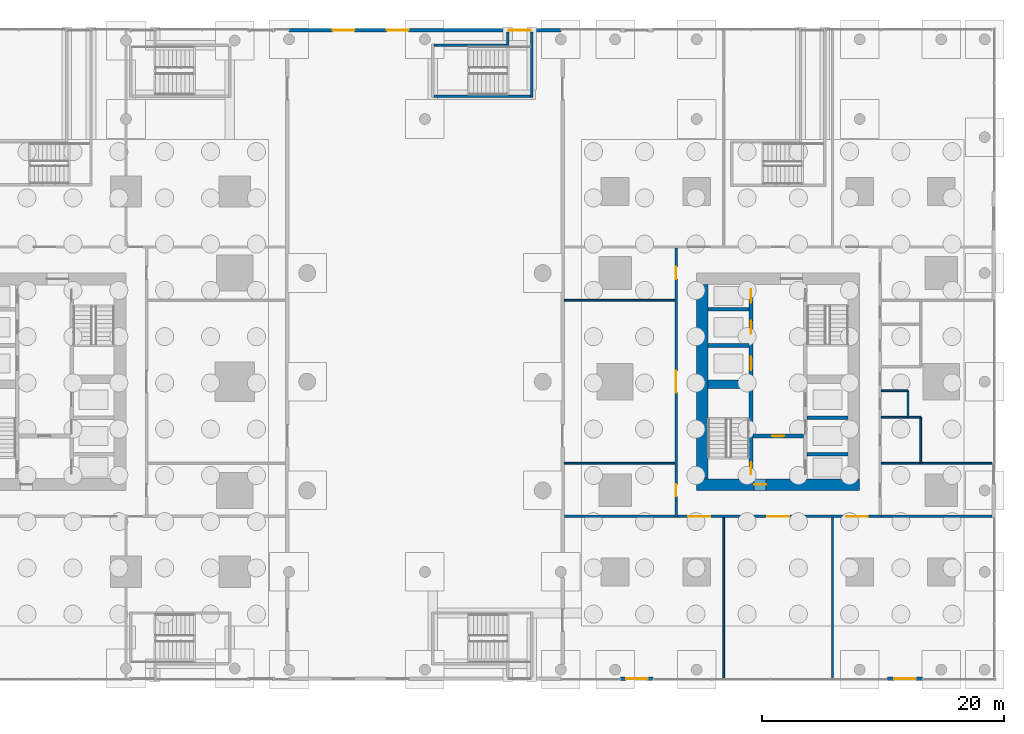
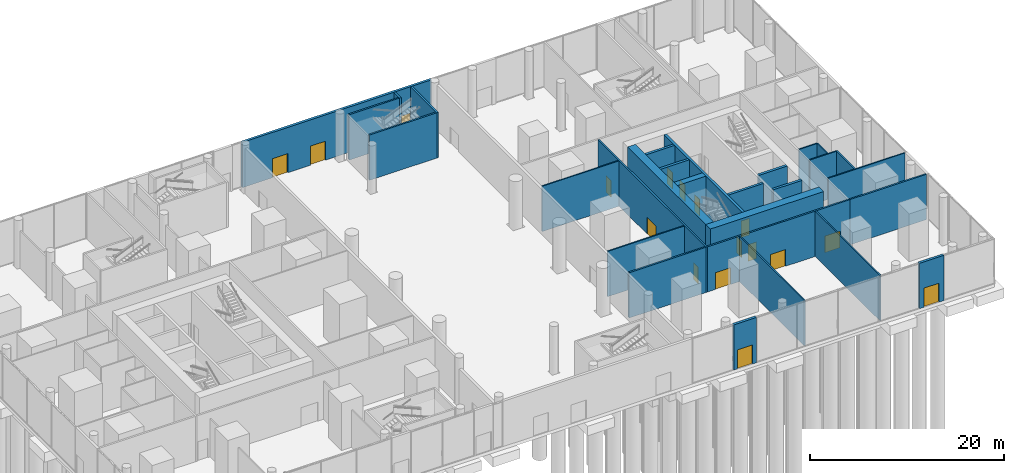
# One storey, part 21 of 31: 29 walls, 17 doors, 17 openings.
"""IFC4 building model written with IfcOpenShell, lengths in metres."""

from ifc_helpers import new_model, si_unit, direction, frame, frame_2d, origin, place, context, subcontext, project, spatial, rectangle, extrude, material, layer, layer_set, type_object, element, fill, save


model = new_model("IFC4")

# Units and contexts
model_context = context("Model", 3, precision=1e-05, world=origin(), true_north=direction((0.0, 1.0)))
body_context = subcontext(model_context, "Body", "Model", "MODEL_VIEW")
ifc_project = project(units=[si_unit("LENGTHUNIT", "METRE"), si_unit("AREAUNIT", "SQUARE_METRE"), si_unit("VOLUMEUNIT", "CUBIC_METRE"), si_unit("PLANEANGLEUNIT", "RADIAN"), si_unit("MASSUNIT", "GRAM", prefix="KILO")], contexts=[model_context])

# Site, building, storey
site_placement = place(None, origin())
site = spatial("IfcSite", under=ifc_project, at=site_placement, CompositionType="ELEMENT")
building_placement = place(site_placement, origin())
building = spatial("IfcBuilding", under=site, at=building_placement, Name="Namib Vertical Campus", CompositionType="ELEMENT")
storey_placement = place(building_placement, origin())
storey = spatial("IfcBuildingStorey", under=building, at=storey_placement, Name="L00", CompositionType="ELEMENT", Elevation=0.0)

# Wall, openings, doors
ifc_material_1 = material(Name="Concrete C60/75", Category="concrete")
ifc_layer_1 = layer(ifc_material_1, 0.300048828125)
ifc_layer_set_1 = layer_set([ifc_layer_1], Name="Concrete C60/75")
wall_type_1 = type_object("IfcWallType", Name="Core inner wall 300", PredefinedType="SHEAR", material=ifc_layer_set_1)
wall_1_placement = place(storey_placement, frame((78.75, 12.199951171875, -0.39990234375), z_axis=(0.0, 0.0, 1.0), x_axis=(0.0, 1.0, 0.0)))
wall_1 = element("IfcWall", 1, at=wall_1_placement, inside=storey, type_object=wall_type_1, Name="Core inner wall B L00 W1", PredefinedType="SHEAR", context=body_context, shape_type="SweptSolid", body=[
    extrude(rectangle(XDim=16.10009765625, YDim=0.300048828125, at=frame_2d((8.050048828125, 0.0))), origin(), (0.0, 0.0, 1.0), 6.39990234375),
])
opening_1_placement = place(wall_1_placement, frame((0.39990234375, 0.0, 0.39990234375)))
opening_1 = element("IfcOpeningElement", 2, at=opening_1_placement, cuts=wall_1, Name="Opening FD1", PredefinedType="OPENING", context=body_context, shape_type="SweptSolid", body=[
    extrude(rectangle(XDim=1.0, YDim=2.10009765625, at=frame_2d((0.5, 1.050048828125))), frame((0.0, 0.159912109375, 0.0), z_axis=(0.0, -1.0, 0.0), x_axis=(1.0, 0.0, 0.0)), (0.0, 0.0, 1.0), 0.320068359375),
])
opening_2_placement = place(wall_1_placement, frame((9.0, 0.0, 0.39990234375)))
opening_2 = element("IfcOpeningElement", 3, at=opening_2_placement, cuts=wall_1, Name="Opening LD1", PredefinedType="OPENING", context=body_context, shape_type="SweptSolid", body=[
    extrude(rectangle(XDim=1.10009765625, YDim=2.10009765625, at=frame_2d((0.550048828125, 1.050048828125))), frame((0.0, 0.159912109375, 0.0), z_axis=(0.0, -1.0, 0.0), x_axis=(1.0, 0.0, 0.0)), (0.0, 0.0, 1.0), 0.320068359375),
])
opening_3_placement = place(wall_1_placement, frame((12.0, 0.0, 0.39990234375)))
opening_3 = element("IfcOpeningElement", 4, at=opening_3_placement, cuts=wall_1, Name="Opening LD1", PredefinedType="OPENING", context=body_context, shape_type="SweptSolid", body=[
    extrude(rectangle(XDim=1.10009765625, YDim=2.10009765625, at=frame_2d((0.550048828125, 1.050048828125))), frame((0.0, 0.159912109375, 0.0), z_axis=(0.0, -1.0, 0.0), x_axis=(1.0, 0.0, 0.0)), (0.0, 0.0, 1.0), 0.320068359375),
])
opening_4_placement = place(wall_1_placement, frame((14.60009765625, 0.0, 0.39990234375)))
opening_4 = element("IfcOpeningElement", 5, at=opening_4_placement, cuts=wall_1, Name="Opening LD1", PredefinedType="OPENING", context=body_context, shape_type="SweptSolid", body=[
    extrude(rectangle(XDim=1.10009765625, YDim=2.10009765625, at=frame_2d((0.550048828125, 1.050048828125))), frame((0.0, 0.159912109375, 0.0), z_axis=(0.0, -1.0, 0.0), x_axis=(1.0, 0.0, 0.0)), (0.0, 0.0, 1.0), 0.320068359375),
])
ifc_material_2 = material(Name="Steel fire door", Category="steel")
door_type_1 = type_object("IfcDoorType", Name="Fire door 1000x2100", OperationType="SINGLE_SWING_RIGHT", PredefinedType="DOOR", material=ifc_material_2)
door_1_placement = place(opening_1_placement, frame((1.0, 0.0, 0.0), z_axis=(0.0, 0.0, 1.0), x_axis=(-1.0, 0.0, 0.0)))
door_1 = element("IfcDoor", 6, at=door_1_placement, inside=storey, type_object=door_type_1, Name="Stair door FD1 B L00 S1", OperationType="SINGLE_SWING_RIGHT", OverallHeight=2.10009765625, OverallWidth=1.0, PredefinedType="DOOR", context=body_context, shape_type="SweptSolid", body=[
    extrude(rectangle(XDim=1.0, YDim=2.10009765625, at=frame_2d((0.5, 1.050048828125))), frame((0.0, 0.02490234375, 0.0), z_axis=(0.0, -1.0, 0.0), x_axis=(1.0, 0.0, 0.0)), (0.0, 0.0, 1.0), 0.050048828125),
])
fill(opening_1, door_1)
ifc_material_3 = material(Name="Stainless steel lift door", Category="steel")
door_type_2 = type_object("IfcDoorType", Name="Lift landing door 1100x2100", OperationType="DOUBLE_DOOR_SLIDING", PredefinedType="DOOR", material=ifc_material_3)
door_2_placement = place(opening_2_placement, origin())
door_2 = element("IfcDoor", 7, at=door_2_placement, inside=storey, type_object=door_type_2, Name="Lift landing door LD1 B-P1 L00", OperationType="DOUBLE_DOOR_SLIDING", OverallHeight=2.10009765625, OverallWidth=1.10009765625, PredefinedType="DOOR", context=body_context, shape_type="SweptSolid", body=[
    extrude(rectangle(XDim=1.10009765625, YDim=2.10009765625, at=frame_2d((0.550048828125, 1.050048828125))), frame((0.0, 0.02490234375, 0.0), z_axis=(0.0, -1.0, 0.0), x_axis=(1.0, 0.0, 0.0)), (0.0, 0.0, 1.0), 0.050048828125),
])
fill(opening_2, door_2)
door_3_placement = place(opening_3_placement, origin())
door_3 = element("IfcDoor", 8, at=door_3_placement, inside=storey, type_object=door_type_2, Name="Lift landing door LD1 B-P2 L00", OperationType="DOUBLE_DOOR_SLIDING", OverallHeight=2.10009765625, OverallWidth=1.10009765625, PredefinedType="DOOR", context=body_context, shape_type="SweptSolid", body=[
    extrude(rectangle(XDim=1.10009765625, YDim=2.10009765625, at=frame_2d((0.550048828125, 1.050048828125))), frame((0.0, 0.02490234375, 0.0), z_axis=(0.0, -1.0, 0.0), x_axis=(1.0, 0.0, 0.0)), (0.0, 0.0, 1.0), 0.050048828125),
])
fill(opening_3, door_3)
door_4_placement = place(opening_4_placement, origin())
door_4 = element("IfcDoor", 9, at=door_4_placement, inside=storey, type_object=door_type_2, Name="Lift landing door LD1 B-P3 L00", OperationType="DOUBLE_DOOR_SLIDING", OverallHeight=2.10009765625, OverallWidth=1.10009765625, PredefinedType="DOOR", context=body_context, shape_type="SweptSolid", body=[
    extrude(rectangle(XDim=1.10009765625, YDim=2.10009765625, at=frame_2d((0.550048828125, 1.050048828125))), frame((0.0, 0.02490234375, 0.0), z_axis=(0.0, -1.0, 0.0), x_axis=(1.0, 0.0, 0.0)), (0.0, 0.0, 1.0), 0.050048828125),
])
fill(opening_4, door_4)

# Wall, opening, door
wall_2_placement = place(storey_placement, frame((78.89990234375, 15.75, -0.39990234375), z_axis=(0.0, 0.0, 1.0), x_axis=(1.0, 0.0, 0.0)))
wall_2 = element("IfcWall", 10, at=wall_2_placement, inside=storey, type_object=wall_type_1, Name="Core inner wall B L00 W4", PredefinedType="SHEAR", context=body_context, shape_type="SweptSolid", body=[
    extrude(rectangle(XDim=4.2001953125, YDim=0.300048828125, at=frame_2d((2.10009765625, 0.0))), origin(), (0.0, 0.0, 1.0), 6.39990234375),
])
opening_5_placement = place(wall_2_placement, frame((1.60009765625, 0.0, 0.39990234375)))
opening_5 = element("IfcOpeningElement", 11, at=opening_5_placement, cuts=wall_2, Name="Opening FD5", PredefinedType="OPENING", context=body_context, shape_type="SweptSolid", body=[
    extrude(rectangle(XDim=1.0, YDim=2.10009765625, at=frame_2d((0.5, 1.050048828125))), frame((0.0, 0.159912109375, 0.0), z_axis=(0.0, -1.0, 0.0), x_axis=(1.0, 0.0, 0.0)), (0.0, 0.0, 1.0), 0.320068359375),
])
ifc_material_4 = material(Name="Steel fire door", Category="steel")
door_type_3 = type_object("IfcDoorType", Name="Fire door 1000x2100 120 min", OperationType="SINGLE_SWING_RIGHT", PredefinedType="DOOR", material=ifc_material_4)
door_5_placement = place(opening_5_placement, frame((1.0, 0.0, 0.0), z_axis=(0.0, 0.0, 1.0), x_axis=(-1.0, 0.0, 0.0)))
door_5 = element("IfcDoor", 12, at=door_5_placement, inside=storey, type_object=door_type_3, Name="Lobby door FD5 B L00", OperationType="SINGLE_SWING_RIGHT", OverallHeight=2.10009765625, OverallWidth=1.0, PredefinedType="DOOR", context=body_context, shape_type="SweptSolid", body=[
    extrude(rectangle(XDim=1.0, YDim=2.10009765625, at=frame_2d((0.5, 1.050048828125))), frame((0.0, 0.02490234375, 0.0), z_axis=(0.0, -1.0, 0.0), x_axis=(1.0, 0.0, 0.0)), (0.0, 0.0, 1.0), 0.050048828125),
])
fill(opening_5, door_5)

# Walls
for number, where, z_axis, x_axis, name in (
    (13, (83.39990234375, 14.25, -0.39990234375), (0.0, 0.0, 1.0), (1.0, 0.0, 0.0), "Core inner wall B L00 W5"),
    (14, (83.39990234375, 17.25, -0.39990234375), (0.0, 0.0, 1.0), (1.0, 0.0, 0.0), "Core inner wall B L00 W6"),
    (15, (75.199951171875, 23.25, -0.39990234375), (0.0, 0.0, 1.0), (1.0, 0.0, 0.0), "Core inner wall B L00 W8"),
    (16, (75.199951171875, 26.25, -0.39990234375), (0.0, 0.0, 1.0), (1.0, 0.0, 0.0), "Core inner wall B L00 W9"),
):
    element("IfcWall", number, at=place(storey_placement, frame(where, z_axis=z_axis, x_axis=x_axis)), inside=storey, type_object=wall_type_1, Name=name, PredefinedType="SHEAR", context=body_context, shape_type="SweptSolid", body=[
        extrude(rectangle(XDim=3.400146484375, YDim=0.300048828125, at=frame_2d((1.7001953125, 0.0))), origin(), (0.0, 0.0, 1.0), 6.39990234375),
    ])
ifc_material_5 = material(Name="Concrete C60/75", Category="concrete")
ifc_layer_2 = layer(ifc_material_5, 0.699951171875)
ifc_layer_set_2 = layer_set([ifc_layer_2], Name="Concrete C60/75")
wall_type_2 = type_object("IfcWallType", Name="Core shear wall 700", PredefinedType="SHEAR", material=ifc_layer_set_2)
wall_3_placement = place(storey_placement, frame((75.199951171875, 20.050048828125, -0.39990234375), z_axis=(0.0, 0.0, 1.0), x_axis=(1.0, 0.0, 0.0)))
element("IfcWall", 17, at=wall_3_placement, inside=storey, type_object=wall_type_2, Name="Core shear wall B L00 W3", PredefinedType="SHEAR", context=body_context, shape_type="SweptSolid", body=[
    extrude(rectangle(XDim=3.400146484375, YDim=0.699951171875, at=frame_2d((1.7001953125, 0.0))), origin(), (0.0, 0.0, 1.0), 6.39990234375),
])

# Wall, opening, door
ifc_material_6 = material(Name="Concrete C60/75", Category="concrete")
ifc_layer_3 = layer(ifc_material_6, 0.949951171875)
ifc_layer_set_3 = layer_set([ifc_layer_3], Name="Concrete C60/75")
wall_type_3 = type_object("IfcWallType", Name="Core wall 950", PredefinedType="SHEAR", material=ifc_layer_set_3)
wall_4_placement = place(storey_placement, frame((74.25, 11.72509765625, -0.39990234375), z_axis=(0.0, 0.0, 1.0), x_axis=(1.0, 0.0, 0.0)))
wall_4 = element("IfcWall", 18, at=wall_4_placement, inside=storey, type_object=wall_type_3, Name="Core wall B L00 1", PredefinedType="SHEAR", context=body_context, shape_type="SweptSolid", body=[
    extrude(rectangle(XDim=13.5, YDim=0.949951171875, at=frame_2d((6.75, 0.0))), origin(), (0.0, 0.0, 1.0), 6.39990234375),
])
opening_6_placement = place(wall_4_placement, frame((4.75, 0.0, 0.39990234375)))
opening_6 = element("IfcOpeningElement", 19, at=opening_6_placement, cuts=wall_4, Name="Opening FD5", PredefinedType="OPENING", context=body_context, shape_type="SweptSolid", body=[
    extrude(rectangle(XDim=1.0, YDim=2.10009765625, at=frame_2d((0.5, 1.050048828125))), frame((0.0, 0.48486328125, 0.0), z_axis=(0.0, -1.0, 0.0), x_axis=(1.0, 0.0, 0.0)), (0.0, 0.0, 1.0), 0.969970703125),
])
door_6_placement = place(opening_6_placement, frame((1.0, 0.0, 0.0), z_axis=(0.0, 0.0, 1.0), x_axis=(-1.0, 0.0, 0.0)))
door_6 = element("IfcDoor", 20, at=door_6_placement, inside=storey, type_object=door_type_3, Name="Firefighting lobby door FD5 B L00", OperationType="SINGLE_SWING_RIGHT", OverallHeight=2.10009765625, OverallWidth=1.0, PredefinedType="DOOR", context=body_context, shape_type="SweptSolid", body=[
    extrude(rectangle(XDim=1.0, YDim=2.10009765625, at=frame_2d((0.5, 1.050048828125))), frame((0.0, 0.02490234375, 0.0), z_axis=(0.0, -1.0, 0.0), x_axis=(1.0, 0.0, 0.0)), (0.0, 0.0, 1.0), 0.050048828125),
])
fill(opening_6, door_6)

# Wall
wall_5_placement = place(storey_placement, frame((74.72509765625, 28.300048828125, -0.39990234375), z_axis=(0.0, 0.0, 1.0), x_axis=(0.0, -1.0, 0.0)))
element("IfcWall", 21, at=wall_5_placement, inside=storey, type_object=wall_type_3, Name="Core wall B L00 4", PredefinedType="SHEAR", context=body_context, shape_type="SweptSolid", body=[
    extrude(rectangle(XDim=16.10009765625, YDim=0.949951171875, at=frame_2d((8.050048828125, 0.0))), origin(), (0.0, 0.0, 1.0), 6.39990234375),
])

# Wall, openings, doors
ifc_material_7 = material(Name="Concrete masonry", Category="masonry")
ifc_layer_4 = layer(ifc_material_7, 0.199951171875)
ifc_layer_set_4 = layer_set([ifc_layer_4], Name="Corridor wall 200")
wall_type_4 = type_object("IfcWallType", Name="Corridor wall 200", PredefinedType="SOLIDWALL", material=ifc_layer_set_4)
wall_6_placement = place(storey_placement, frame((72.64990234375, 9.10009765625, 0.0), z_axis=(0.0, 0.0, 1.0), x_axis=(1.0, 0.0, 0.0)))
wall_6 = element("IfcWall", 22, at=wall_6_placement, inside=storey, type_object=wall_type_4, Name="Corridor wall B L00 CS", PredefinedType="SOLIDWALL", context=body_context, shape_type="SweptSolid", body=[
    extrude(rectangle(XDim=16.900146484375, YDim=0.199951171875, at=frame_2d((8.4501953125, 0.0))), origin(), (0.0, 0.0, 1.0), 5.699951171875),
])
opening_7_placement = place(wall_6_placement, frame((0.925048828125, 0.0, 0.0)))
opening_7 = element("IfcOpeningElement", 23, at=opening_7_placement, cuts=wall_6, Name="Opening CD2", PredefinedType="OPENING", context=body_context, shape_type="SweptSolid", body=[
    extrude(rectangle(XDim=1.800048828125, YDim=2.10009765625, at=frame_2d((0.89990234375, 1.050048828125))), frame((0.0, 0.10986328125, 0.0), z_axis=(0.0, -1.0, 0.0), x_axis=(1.0, 0.0, 0.0)), (0.0, 0.0, 1.0), 0.219970703125),
])
opening_8_placement = place(wall_6_placement, frame((7.449951171875, 0.0, 0.0)))
opening_8 = element("IfcOpeningElement", 24, at=opening_8_placement, cuts=wall_6, Name="Opening CD2", PredefinedType="OPENING", context=body_context, shape_type="SweptSolid", body=[
    extrude(rectangle(XDim=1.800048828125, YDim=2.10009765625, at=frame_2d((0.89990234375, 1.050048828125))), frame((0.0, 0.10986328125, 0.0), z_axis=(0.0, -1.0, 0.0), x_axis=(1.0, 0.0, 0.0)), (0.0, 0.0, 1.0), 0.219970703125),
])
opening_9_placement = place(wall_6_placement, frame((13.97509765625, 0.0, 0.0)))
opening_9 = element("IfcOpeningElement", 25, at=opening_9_placement, cuts=wall_6, Name="Opening CD2", PredefinedType="OPENING", context=body_context, shape_type="SweptSolid", body=[
    extrude(rectangle(XDim=1.800048828125, YDim=2.10009765625, at=frame_2d((0.89990234375, 1.050048828125))), frame((0.0, 0.10986328125, 0.0), z_axis=(0.0, -1.0, 0.0), x_axis=(1.0, 0.0, 0.0)), (0.0, 0.0, 1.0), 0.219970703125),
])
ifc_material_8 = material(Name="Timber fire door leaf", Category="wood")
door_type_4 = type_object("IfcDoorType", Name="Corridor door double 1800x2100 20 min", OperationType="DOUBLE_DOOR_SINGLE_SWING", PredefinedType="DOOR", material=ifc_material_8)
door_7_placement = place(opening_7_placement, frame((1.800048828125, 0.0, 0.0), z_axis=(0.0, 0.0, 1.0), x_axis=(-1.0, 0.0, 0.0)))
door_7 = element("IfcDoor", 26, at=door_7_placement, inside=storey, type_object=door_type_4, Name="Door CD2 B00-01", OperationType="DOUBLE_DOOR_SINGLE_SWING", OverallHeight=2.10009765625, OverallWidth=1.800048828125, PredefinedType="DOOR", context=body_context, shape_type="SweptSolid", body=[
    extrude(rectangle(XDim=1.800048828125, YDim=2.10009765625, at=frame_2d((0.89990234375, 1.050048828125))), frame((0.0, 0.02490234375, 0.0), z_axis=(0.0, -1.0, 0.0), x_axis=(1.0, 0.0, 0.0)), (0.0, 0.0, 1.0), 0.050048828125),
])
fill(opening_7, door_7)
door_8_placement = place(opening_8_placement, frame((1.800048828125, 0.0, 0.0), z_axis=(0.0, 0.0, 1.0), x_axis=(-1.0, 0.0, 0.0)))
door_8 = element("IfcDoor", 27, at=door_8_placement, inside=storey, type_object=door_type_4, Name="Door CD2 B00-02", OperationType="DOUBLE_DOOR_SINGLE_SWING", OverallHeight=2.10009765625, OverallWidth=1.800048828125, PredefinedType="DOOR", context=body_context, shape_type="SweptSolid", body=[
    extrude(rectangle(XDim=1.800048828125, YDim=2.10009765625, at=frame_2d((0.89990234375, 1.050048828125))), frame((0.0, 0.02490234375, 0.0), z_axis=(0.0, -1.0, 0.0), x_axis=(1.0, 0.0, 0.0)), (0.0, 0.0, 1.0), 0.050048828125),
])
fill(opening_8, door_8)
door_9_placement = place(opening_9_placement, frame((1.800048828125, 0.0, 0.0), z_axis=(0.0, 0.0, 1.0), x_axis=(-1.0, 0.0, 0.0)))
door_9 = element("IfcDoor", 28, at=door_9_placement, inside=storey, type_object=door_type_4, Name="Door CD2 B00-03", OperationType="DOUBLE_DOOR_SINGLE_SWING", OverallHeight=2.10009765625, OverallWidth=1.800048828125, PredefinedType="DOOR", context=body_context, shape_type="SweptSolid", body=[
    extrude(rectangle(XDim=1.800048828125, YDim=2.10009765625, at=frame_2d((0.89990234375, 1.050048828125))), frame((0.0, 0.02490234375, 0.0), z_axis=(0.0, -1.0, 0.0), x_axis=(1.0, 0.0, 0.0)), (0.0, 0.0, 1.0), 0.050048828125),
])
fill(opening_9, door_9)

wall_7_placement = place(storey_placement, frame((72.550048828125, 31.300048828125, 0.0), z_axis=(0.0, 0.0, 1.0), x_axis=(0.0, -1.0, 0.0)))
wall_7 = element("IfcWall", 29, at=wall_7_placement, inside=storey, type_object=wall_type_4, Name="Corridor wall B L00 CW", PredefinedType="SOLIDWALL", context=body_context, shape_type="SweptSolid", body=[
    extrude(rectangle(XDim=22.300048828125, YDim=0.199951171875, at=frame_2d((11.14990234375, 0.0))), origin(), (0.0, 0.0, 1.0), 5.699951171875),
])
opening_10_placement = place(wall_7_placement, frame((19.550048828125, 0.0, 0.0)))
opening_10 = element("IfcOpeningElement", 30, at=opening_10_placement, cuts=wall_7, Name="Opening CD1", PredefinedType="OPENING", context=body_context, shape_type="SweptSolid", body=[
    extrude(rectangle(XDim=1.0, YDim=2.10009765625, at=frame_2d((0.5, 1.050048828125))), frame((0.0, 0.10986328125, 0.0), z_axis=(0.0, -1.0, 0.0), x_axis=(1.0, 0.0, 0.0)), (0.0, 0.0, 1.0), 0.219970703125),
])
opening_11_placement = place(wall_7_placement, frame((10.14990234375, 0.0, 0.0)))
opening_11 = element("IfcOpeningElement", 31, at=opening_11_placement, cuts=wall_7, Name="Opening CD2", PredefinedType="OPENING", context=body_context, shape_type="SweptSolid", body=[
    extrude(rectangle(XDim=1.800048828125, YDim=2.10009765625, at=frame_2d((0.89990234375, 1.050048828125))), frame((0.0, 0.10986328125, 0.0), z_axis=(0.0, -1.0, 0.0), x_axis=(1.0, 0.0, 0.0)), (0.0, 0.0, 1.0), 0.219970703125),
])
opening_12_placement = place(wall_7_placement, frame((1.550048828125, 0.0, 0.0)))
opening_12 = element("IfcOpeningElement", 32, at=opening_12_placement, cuts=wall_7, Name="Opening CD1", PredefinedType="OPENING", context=body_context, shape_type="SweptSolid", body=[
    extrude(rectangle(XDim=1.0, YDim=2.10009765625, at=frame_2d((0.5, 1.050048828125))), frame((0.0, 0.10986328125, 0.0), z_axis=(0.0, -1.0, 0.0), x_axis=(1.0, 0.0, 0.0)), (0.0, 0.0, 1.0), 0.219970703125),
])
ifc_material_9 = material(Name="Timber fire door leaf", Category="wood")
door_type_5 = type_object("IfcDoorType", Name="Corridor door 1000x2100 20 min", OperationType="SINGLE_SWING_LEFT", PredefinedType="DOOR", material=ifc_material_9)
door_10_placement = place(opening_10_placement, frame((1.0, 0.0, 0.0), z_axis=(0.0, 0.0, 1.0), x_axis=(-1.0, 0.0, 0.0)))
door_10 = element("IfcDoor", 33, at=door_10_placement, inside=storey, type_object=door_type_5, Name="Door CD1 B00-14", OperationType="SINGLE_SWING_RIGHT", OverallHeight=2.10009765625, OverallWidth=1.0, PredefinedType="DOOR", context=body_context, shape_type="SweptSolid", body=[
    extrude(rectangle(XDim=1.0, YDim=2.10009765625, at=frame_2d((0.5, 1.050048828125))), frame((0.0, 0.02490234375, 0.0), z_axis=(0.0, -1.0, 0.0), x_axis=(1.0, 0.0, 0.0)), (0.0, 0.0, 1.0), 0.050048828125),
])
fill(opening_10, door_10)
door_11_placement = place(opening_12_placement, frame((1.0, 0.0, 0.0), z_axis=(0.0, 0.0, 1.0), x_axis=(-1.0, 0.0, 0.0)))
door_11 = element("IfcDoor", 34, at=door_11_placement, inside=storey, type_object=door_type_5, Name="Door CD1 B00-16", OperationType="SINGLE_SWING_RIGHT", OverallHeight=2.10009765625, OverallWidth=1.0, PredefinedType="DOOR", context=body_context, shape_type="SweptSolid", body=[
    extrude(rectangle(XDim=1.0, YDim=2.10009765625, at=frame_2d((0.5, 1.050048828125))), frame((0.0, 0.02490234375, 0.0), z_axis=(0.0, -1.0, 0.0), x_axis=(1.0, 0.0, 0.0)), (0.0, 0.0, 1.0), 0.050048828125),
])
fill(opening_12, door_11)
door_12_placement = place(opening_11_placement, origin())
door_12 = element("IfcDoor", 35, at=door_12_placement, inside=storey, type_object=door_type_4, Name="Door CD2 B00-15", OperationType="DOUBLE_DOOR_SINGLE_SWING", OverallHeight=2.10009765625, OverallWidth=1.800048828125, PredefinedType="DOOR", context=body_context, shape_type="SweptSolid", body=[
    extrude(rectangle(XDim=1.800048828125, YDim=2.10009765625, at=frame_2d((0.89990234375, 1.050048828125))), frame((0.0, 0.02490234375, 0.0), z_axis=(0.0, -1.0, 0.0), x_axis=(1.0, 0.0, 0.0)), (0.0, 0.0, 1.0), 0.050048828125),
])
fill(opening_11, door_12)

# Walls
for number, where, z_axis, x_axis, name in (
    (36, (63.300048828125, 9.10009765625, 0.0), (0.0, 0.0, 1.0), (1.0, 0.0, 0.0), "Partition B L00 BSW"),
    (37, (89.550048828125, 9.10009765625, 0.0), (0.0, 0.0, 1.0), (1.0, 0.0, 0.0), "Partition B L00 BSE"),
):
    element("IfcWall", number, at=place(storey_placement, frame(where, z_axis=z_axis, x_axis=x_axis)), inside=storey, type_object=wall_type_4, Name=name, PredefinedType="SOLIDWALL", context=body_context, shape_type="SweptSolid", body=[
        extrude(rectangle(XDim=9.14990234375, YDim=0.199951171875, at=frame_2d((4.574951171875, 0.0))), origin(), (0.0, 0.0, 1.0), 5.699951171875),
    ])

# Wall, opening, door
ifc_material_10 = material(Name="Concrete C40/50", Category="concrete")
ifc_layer_5 = layer(ifc_material_10, 0.300048828125)
ifc_layer_set_5 = layer_set([ifc_layer_5], Name="Concrete C40/50")
wall_type_5 = type_object("IfcWallType", Name="External wall 300 board-marked concrete", PredefinedType="STANDARD", material=ifc_layer_set_5)
wall_8_placement = place(storey_placement, frame((67.949951171875, -4.35009765625, 0.0), z_axis=(0.0, 0.0, 1.0), x_axis=(1.0, 0.0, 0.0)))
wall_8 = element("IfcWall", 38, at=wall_8_placement, inside=storey, type_object=wall_type_5, Name="External wall L00 entrance 10", PredefinedType="STANDARD", context=body_context, shape_type="SweptSolid", body=[
    extrude(rectangle(XDim=2.699951171875, YDim=0.300048828125, at=frame_2d((1.35009765625, 0.0))), origin(), (0.0, 0.0, 1.0), 5.699951171875),
])
opening_13_placement = place(wall_8_placement, frame((0.449951171875, 0.0, 0.0)))
opening_13 = element("IfcOpeningElement", 39, at=opening_13_placement, cuts=wall_8, Name="Opening ED1", PredefinedType="OPENING", context=body_context, shape_type="SweptSolid", body=[
    extrude(rectangle(XDim=1.800048828125, YDim=2.39990234375, at=frame_2d((0.89990234375, 1.199951171875))), frame((0.0, 0.159912109375, 0.0), z_axis=(0.0, -1.0, 0.0), x_axis=(1.0, 0.0, 0.0)), (0.0, 0.0, 1.0), 0.320068359375),
])
ifc_material_11 = material(Name="Black aluminium glazed door", Category="aluminium")
door_type_6 = type_object("IfcDoorType", Name="Entrance door pair 1800x2400", OperationType="DOUBLE_DOOR_SINGLE_SWING", PredefinedType="DOOR", material=ifc_material_11)
door_13_placement = place(opening_13_placement, frame((1.800048828125, 0.0, 0.0), z_axis=(0.0, 0.0, 1.0), x_axis=(-1.0, 0.0, 0.0)))
door_13 = element("IfcDoor", 40, at=door_13_placement, inside=storey, type_object=door_type_6, Name="Entrance door ED1 10-1", OperationType="DOUBLE_DOOR_SINGLE_SWING", OverallHeight=2.39990234375, OverallWidth=1.800048828125, PredefinedType="DOOR", context=body_context, shape_type="SweptSolid", body=[
    extrude(rectangle(XDim=1.800048828125, YDim=2.39990234375, at=frame_2d((0.89990234375, 1.199951171875))), frame((0.0, 0.02490234375, 0.0), z_axis=(0.0, -1.0, 0.0), x_axis=(1.0, 0.0, 0.0)), (0.0, 0.0, 1.0), 0.050048828125),
])
fill(opening_13, door_13)

wall_9_placement = place(storey_placement, frame((90.050048828125, -4.35009765625, 0.0), z_axis=(0.0, 0.0, 1.0), x_axis=(1.0, 0.0, 0.0)))
wall_9 = element("IfcWall", 41, at=wall_9_placement, inside=storey, type_object=wall_type_5, Name="External wall L00 entrance 12", PredefinedType="STANDARD", context=body_context, shape_type="SweptSolid", body=[
    extrude(rectangle(XDim=2.89990234375, YDim=0.300048828125, at=frame_2d((1.449951171875, 0.0))), origin(), (0.0, 0.0, 1.0), 5.699951171875),
])
opening_14_placement = place(wall_9_placement, frame((0.550048828125, 0.0, 0.0)))
opening_14 = element("IfcOpeningElement", 42, at=opening_14_placement, cuts=wall_9, Name="Opening ED1", PredefinedType="OPENING", context=body_context, shape_type="SweptSolid", body=[
    extrude(rectangle(XDim=1.800048828125, YDim=2.39990234375, at=frame_2d((0.89990234375, 1.199951171875))), frame((0.0, 0.159912109375, 0.0), z_axis=(0.0, -1.0, 0.0), x_axis=(1.0, 0.0, 0.0)), (0.0, 0.0, 1.0), 0.320068359375),
])
door_14_placement = place(opening_14_placement, frame((1.800048828125, 0.0, 0.0), z_axis=(0.0, 0.0, 1.0), x_axis=(-1.0, 0.0, 0.0)))
door_14 = element("IfcDoor", 43, at=door_14_placement, inside=storey, type_object=door_type_6, Name="Exit door ED1 Exhibition gallery B00-03", OperationType="DOUBLE_DOOR_SINGLE_SWING", OverallHeight=2.39990234375, OverallWidth=1.800048828125, PredefinedType="DOOR", context=body_context, shape_type="SweptSolid", body=[
    extrude(rectangle(XDim=1.800048828125, YDim=2.39990234375, at=frame_2d((0.89990234375, 1.199951171875))), frame((0.0, 0.02490234375, 0.0), z_axis=(0.0, -1.0, 0.0), x_axis=(1.0, 0.0, 0.0)), (0.0, 0.0, 1.0), 0.050048828125),
])
fill(opening_14, door_14)

# Wall, openings, doors
wall_10_placement = place(storey_placement, frame((63.0, 49.35009765625, 0.0), z_axis=(0.0, 0.0, 1.0), x_axis=(-1.0, 0.0, 0.0)))
wall_10 = element("IfcWall", 44, at=wall_10_placement, inside=storey, type_object=wall_type_5, Name="External wall L00 entrance 10", PredefinedType="STANDARD", context=body_context, shape_type="SweptSolid", body=[
    extrude(rectangle(XDim=22.5, YDim=0.300048828125, at=frame_2d((11.25, 0.0))), origin(), (0.0, 0.0, 1.0), 5.699951171875),
])
opening_15_placement = place(wall_10_placement, frame((17.10009765625, 0.0, 0.0)))
opening_15 = element("IfcOpeningElement", 45, at=opening_15_placement, cuts=wall_10, Name="Opening ED1", PredefinedType="OPENING", context=body_context, shape_type="SweptSolid", body=[
    extrude(rectangle(XDim=1.800048828125, YDim=2.39990234375, at=frame_2d((0.89990234375, 1.199951171875))), frame((0.0, 0.159912109375, 0.0), z_axis=(0.0, -1.0, 0.0), x_axis=(1.0, 0.0, 0.0)), (0.0, 0.0, 1.0), 0.320068359375),
])
opening_16_placement = place(wall_10_placement, frame((12.60009765625, 0.0, 0.0)))
opening_16 = element("IfcOpeningElement", 46, at=opening_16_placement, cuts=wall_10, Name="Opening ED1", PredefinedType="OPENING", context=body_context, shape_type="SweptSolid", body=[
    extrude(rectangle(XDim=1.800048828125, YDim=2.39990234375, at=frame_2d((0.89990234375, 1.199951171875))), frame((0.0, 0.159912109375, 0.0), z_axis=(0.0, -1.0, 0.0), x_axis=(1.0, 0.0, 0.0)), (0.0, 0.0, 1.0), 0.320068359375),
])
opening_17_placement = place(wall_10_placement, frame((2.5, 0.0, 0.0)))
opening_17 = element("IfcOpeningElement", 47, at=opening_17_placement, cuts=wall_10, Name="Opening ED1", PredefinedType="OPENING", context=body_context, shape_type="SweptSolid", body=[
    extrude(rectangle(XDim=1.800048828125, YDim=2.39990234375, at=frame_2d((0.89990234375, 1.199951171875))), frame((0.0, 0.159912109375, 0.0), z_axis=(0.0, -1.0, 0.0), x_axis=(1.0, 0.0, 0.0)), (0.0, 0.0, 1.0), 0.320068359375),
])
door_15_placement = place(opening_15_placement, frame((1.800048828125, 0.0, 0.0), z_axis=(0.0, 0.0, 1.0), x_axis=(-1.0, 0.0, 0.0)))
door_15 = element("IfcDoor", 48, at=door_15_placement, inside=storey, type_object=door_type_6, Name="Entrance door ED1 10-1", OperationType="DOUBLE_DOOR_SINGLE_SWING", OverallHeight=2.39990234375, OverallWidth=1.800048828125, PredefinedType="DOOR", context=body_context, shape_type="SweptSolid", body=[
    extrude(rectangle(XDim=1.800048828125, YDim=2.39990234375, at=frame_2d((0.89990234375, 1.199951171875))), frame((0.0, 0.02490234375, 0.0), z_axis=(0.0, -1.0, 0.0), x_axis=(1.0, 0.0, 0.0)), (0.0, 0.0, 1.0), 0.050048828125),
])
fill(opening_15, door_15)
door_16_placement = place(opening_16_placement, frame((1.800048828125, 0.0, 0.0), z_axis=(0.0, 0.0, 1.0), x_axis=(-1.0, 0.0, 0.0)))
door_16 = element("IfcDoor", 49, at=door_16_placement, inside=storey, type_object=door_type_6, Name="Entrance door ED1 10-2", OperationType="DOUBLE_DOOR_SINGLE_SWING", OverallHeight=2.39990234375, OverallWidth=1.800048828125, PredefinedType="DOOR", context=body_context, shape_type="SweptSolid", body=[
    extrude(rectangle(XDim=1.800048828125, YDim=2.39990234375, at=frame_2d((0.89990234375, 1.199951171875))), frame((0.0, 0.02490234375, 0.0), z_axis=(0.0, -1.0, 0.0), x_axis=(1.0, 0.0, 0.0)), (0.0, 0.0, 1.0), 0.050048828125),
])
fill(opening_16, door_16)
door_17_placement = place(opening_17_placement, frame((1.800048828125, 0.0, 0.0), z_axis=(0.0, 0.0, 1.0), x_axis=(-1.0, 0.0, 0.0)))
door_17 = element("IfcDoor", 50, at=door_17_placement, inside=storey, type_object=door_type_6, Name="Stair exit door ED1 P-S3", OperationType="DOUBLE_DOOR_SINGLE_SWING", OverallHeight=2.39990234375, OverallWidth=1.800048828125, PredefinedType="DOOR", context=body_context, shape_type="SweptSolid", body=[
    extrude(rectangle(XDim=1.800048828125, YDim=2.39990234375, at=frame_2d((0.89990234375, 1.199951171875))), frame((0.0, 0.02490234375, 0.0), z_axis=(0.0, -1.0, 0.0), x_axis=(1.0, 0.0, 0.0)), (0.0, 0.0, 1.0), 0.050048828125),
])
fill(opening_17, door_17)

# Walls
ifc_material_12 = material(Name="Gypsum board on steel studs", Category="steel")
ifc_layer_6 = layer(ifc_material_12, 0.14990234375)
ifc_layer_set_6 = layer_set([ifc_layer_6], Name="Gypsum board on steel studs")
wall_type_6 = type_object("IfcWallType", Name="Partition 150", PredefinedType="PARTITIONING", material=ifc_layer_set_6)
for number, where, z_axis, x_axis, name in (
    (51, (76.5, -4.320068359375, 0.0), (0.0, 0.0, 1.0), (0.0, 1.0, 0.0), "Partition B L00 PS1"),
    (52, (85.5, -4.320068359375, 0.0), (0.0, 0.0, 1.0), (0.0, 1.0, 0.0), "Partition B L00 PS2"),
):
    element("IfcWall", number, at=place(storey_placement, frame(where, z_axis=z_axis, x_axis=x_axis)), inside=storey, type_object=wall_type_6, Name=name, PredefinedType="PARTITIONING", context=body_context, shape_type="SweptSolid", body=[
        extrude(rectangle(XDim=13.320068359375, YDim=0.14990234375, at=frame_2d((6.66015625, 0.0))), origin(), (0.0, 0.0, 1.0), 5.699951171875),
    ])
for number, where, z_axis, x_axis, name in (
    (53, (89.550048828125, 13.5, 0.0), (0.0, 0.0, 1.0), (1.0, 0.0, 0.0), "Partition B L00 PE1"),
    (54, (63.300048828125, 13.5, 0.0), (0.0, 0.0, 1.0), (1.0, 0.0, 0.0), "Partition B L00 PW1"),
    (55, (63.300048828125, 27.0, 0.0), (0.0, 0.0, 1.0), (1.0, 0.0, 0.0), "Partition B L00 PW2"),
):
    element("IfcWall", number, at=place(storey_placement, frame(where, z_axis=z_axis, x_axis=x_axis)), inside=storey, type_object=wall_type_6, Name=name, PredefinedType="PARTITIONING", context=body_context, shape_type="SweptSolid", body=[
        extrude(rectangle(XDim=9.14990234375, YDim=0.14990234375, at=frame_2d((4.574951171875, 0.0))), origin(), (0.0, 0.0, 1.0), 5.699951171875),
    ])
wall_11_placement = place(storey_placement, frame((89.550048828125, 17.300048828125, 0.0), z_axis=(0.0, 0.0, 1.0), x_axis=(1.0, 0.0, 0.0)))
element("IfcWall", 56, at=wall_11_placement, inside=storey, type_object=wall_type_6, Name="Partition B L00 WR1", PredefinedType="PARTITIONING", context=body_context, shape_type="SweptSolid", body=[
    extrude(rectangle(XDim=3.25, YDim=0.14990234375, at=frame_2d((1.625, 0.0))), origin(), (0.0, 0.0, 1.0), 5.699951171875),
])
wall_12_placement = place(storey_placement, frame((89.550048828125, 19.5, 0.0), z_axis=(0.0, 0.0, 1.0), x_axis=(1.0, 0.0, 0.0)))
element("IfcWall", 57, at=wall_12_placement, inside=storey, type_object=wall_type_6, Name="Partition B L00 WR2", PredefinedType="PARTITIONING", context=body_context, shape_type="SweptSolid", body=[
    extrude(rectangle(XDim=2.199951171875, YDim=0.14990234375, at=frame_2d((1.10009765625, 0.0))), origin(), (0.0, 0.0, 1.0), 5.699951171875),
])
wall_13_placement = place(storey_placement, frame((92.800048828125, 13.5, 0.0), z_axis=(0.0, 0.0, 1.0), x_axis=(0.0, 1.0, 0.0)))
element("IfcWall", 58, at=wall_13_placement, inside=storey, type_object=wall_type_6, Name="Partition B L00 WB1", PredefinedType="PARTITIONING", context=body_context, shape_type="SweptSolid", body=[
    extrude(rectangle(XDim=3.800048828125, YDim=0.14990234375, at=frame_2d((1.89990234375, 0.0))), origin(), (0.0, 0.0, 1.0), 5.699951171875),
])
wall_14_placement = place(storey_placement, frame((91.75, 17.300048828125, 0.0), z_axis=(0.0, 0.0, 1.0), x_axis=(0.0, 1.0, 0.0)))
element("IfcWall", 59, at=wall_14_placement, inside=storey, type_object=wall_type_6, Name="Partition B L00 WB2", PredefinedType="PARTITIONING", context=body_context, shape_type="SweptSolid", body=[
    extrude(rectangle(XDim=2.199951171875, YDim=0.14990234375, at=frame_2d((1.10009765625, 0.0))), origin(), (0.0, 0.0, 1.0), 5.699951171875),
])
ifc_material_13 = material(Name="Concrete C40/50", Category="concrete")
ifc_layer_7 = layer(ifc_material_13, 0.199951171875)
ifc_layer_set_7 = layer_set([ifc_layer_7], Name="Concrete C40/50")
wall_type_7 = type_object("IfcWallType", Name="Stair enclosure wall RC 200", PredefinedType="SOLIDWALL", material=ifc_layer_set_7)
wall_15_placement = place(storey_placement, frame((52.5, 43.89990234375, 0.0), z_axis=(0.0, 0.0, 1.0), x_axis=(1.0, 0.0, 0.0)))
element("IfcWall", 60, at=wall_15_placement, inside=storey, type_object=wall_type_7, Name="Stair enclosure wall P-S3 L00 room side", PredefinedType="SOLIDWALL", context=body_context, shape_type="SweptSolid", body=[
    extrude(rectangle(XDim=8.0, YDim=0.199951171875, at=frame_2d((4.0, 0.0))), origin(), (0.0, 0.0, 1.0), 5.699951171875),
])
wall_16_placement = place(storey_placement, frame((52.5, 48.10009765625, 0.0), z_axis=(0.0, 0.0, 1.0), x_axis=(1.0, 0.0, 0.0)))
element("IfcWall", 61, at=wall_16_placement, inside=storey, type_object=wall_type_7, Name="Stair enclosure wall P-S3 L00 facade side", PredefinedType="SOLIDWALL", context=body_context, shape_type="SweptSolid", body=[
    extrude(rectangle(XDim=6.0, YDim=0.199951171875, at=frame_2d((3.0, 0.0))), origin(), (0.0, 0.0, 1.0), 5.699951171875),
])
wall_17_placement = place(storey_placement, frame((58.60009765625, 48.0, 0.0), z_axis=(0.0, 0.0, 1.0), x_axis=(0.0, 1.0, 0.0)))
element("IfcWall", 62, at=wall_17_placement, inside=storey, type_object=wall_type_7, Name="Stair enclosure wall P-S3 L00 exit vestibule", PredefinedType="SOLIDWALL", context=body_context, shape_type="SweptSolid", body=[
    extrude(rectangle(XDim=1.199951171875, YDim=0.199951171875, at=frame_2d((0.60009765625, 0.0))), origin(), (0.0, 0.0, 1.0), 5.699951171875),
])
wall_18_placement = place(storey_placement, frame((60.60009765625, 43.800048828125, 0.0), z_axis=(0.0, 0.0, 1.0), x_axis=(0.0, 1.0, 0.0)))
element("IfcWall", 63, at=wall_18_placement, inside=storey, type_object=wall_type_7, Name="Stair enclosure wall P-S3 L00 E", PredefinedType="SOLIDWALL", context=body_context, shape_type="SweptSolid", body=[
    extrude(rectangle(XDim=5.39990234375, YDim=0.199951171875, at=frame_2d((2.699951171875, 0.0))), origin(), (0.0, 0.0, 1.0), 5.699951171875),
])

save(model, "model.ifc")
